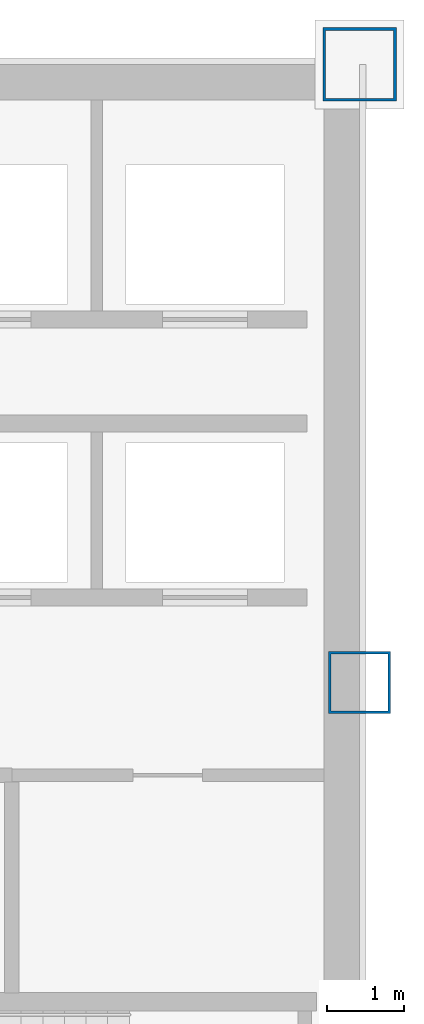
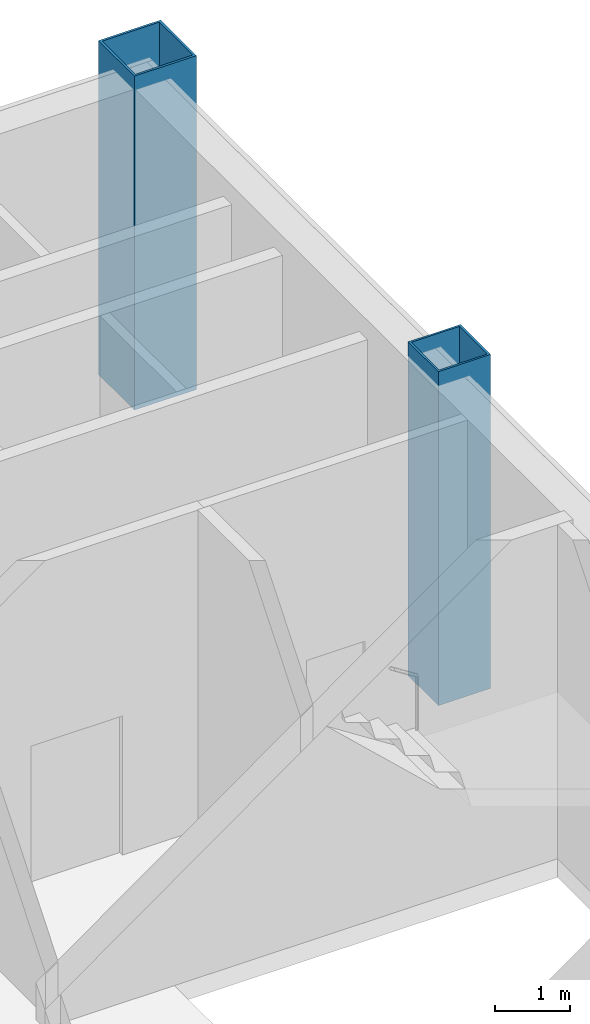
# One storey, part 4 of 21: 2 columns.
"""IFC4 building model written with IfcOpenShell, lengths in metres."""

from ifc_helpers import new_model, si_unit, direction, frame, origin, origin_2d, place, context, subcontext, project, spatial, hollow_rectangle, extrude, material, material_profile, profile_set, type_object, element, save


model = new_model("IFC4")

# Units and contexts
model_context = context("Model", 3, precision=1e-05, world=origin(), true_north=direction((0.0, 1.0)))
body_context = subcontext(model_context, "Body", "Model", "MODEL_VIEW")
ifc_project = project(units=[si_unit("LENGTHUNIT", "METRE"), si_unit("AREAUNIT", "SQUARE_METRE"), si_unit("VOLUMEUNIT", "CUBIC_METRE"), si_unit("PLANEANGLEUNIT", "RADIAN"), si_unit("MASSUNIT", "GRAM", prefix="KILO")], contexts=[model_context])

# Site, building, storey
site_placement = place(None, origin())
site = spatial("IfcSite", under=ifc_project, at=site_placement, CompositionType="ELEMENT")
building_placement = place(site_placement, origin())
building = spatial("IfcBuilding", under=site, at=building_placement, Name="Qianrong Seaharbour Tower", CompositionType="ELEMENT")
storey_placement = place(building_placement, frame((0.0, 0.0, 200.39990234375)))
storey = spatial("IfcBuildingStorey", under=building, at=storey_placement, Name="L48", CompositionType="ELEMENT", Elevation=200.39990234375)

# Columns
ifc_material = material(Name="Structural steel SN490B", Category="steel")
ifc_material_profile_1 = material_profile(ifc_material, hollow_rectangle(XDim=0.949951171875, YDim=0.949951171875, WallThickness=0.035888671875, at=origin_2d()), Name="BOX950x950x36")
ifc_profile_set_1 = profile_set([ifc_material_profile_1], Name="Structural steel SN490B")
column_type_1 = type_object("IfcColumnType", Name="COL-CFT-950", PredefinedType="COLUMN", material=ifc_profile_set_1)
column_1_placement = place(storey_placement, frame((64.0, 52.0, 0.0), z_axis=(0.0, 0.0, 1.0), x_axis=(1.0, 0.0, 0.0)))
element("IfcColumn", 1, at=column_1_placement, inside=storey, type_object=column_type_1, Name="L48 Column MC-4 at G9/GH", PredefinedType="COLUMN", context=body_context, shape_type="SweptSolid", body=[
    extrude(hollow_rectangle(XDim=0.949951171875, YDim=0.949951171875, WallThickness=0.035888671875, at=origin_2d()), origin(), (0.0, 0.0, 1.0), 5.400146484375),
])
ifc_material_profile_2 = material_profile(ifc_material, hollow_rectangle(XDim=0.800048828125, YDim=0.800048828125, WallThickness=0.031982421875, at=origin_2d()), Name="BOX800x800x32")
ifc_profile_set_2 = profile_set([ifc_material_profile_2], Name="Structural steel SN490B")
column_type_2 = type_object("IfcColumnType", Name="COL-PER-800", PredefinedType="COLUMN", material=ifc_profile_set_2)
column_2_placement = place(storey_placement, frame((64.0, 44.0, 0.0), z_axis=(0.0, 0.0, 1.0), x_axis=(1.0, 0.0, 0.0)))
element("IfcColumn", 2, at=column_2_placement, inside=storey, type_object=column_type_2, Name="L48 Column PC-3 at G9/GG", PredefinedType="COLUMN", context=body_context, shape_type="SweptSolid", body=[
    extrude(hollow_rectangle(XDim=0.800048828125, YDim=0.800048828125, WallThickness=0.031982421875, at=origin_2d()), origin(), (0.0, 0.0, 1.0), 5.400146484375),
])

save(model, "model.ifc")
